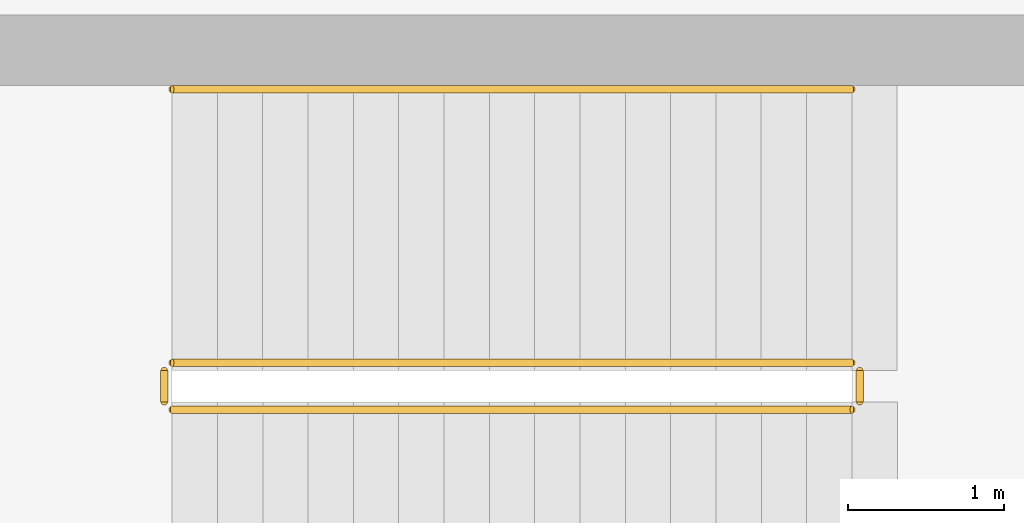
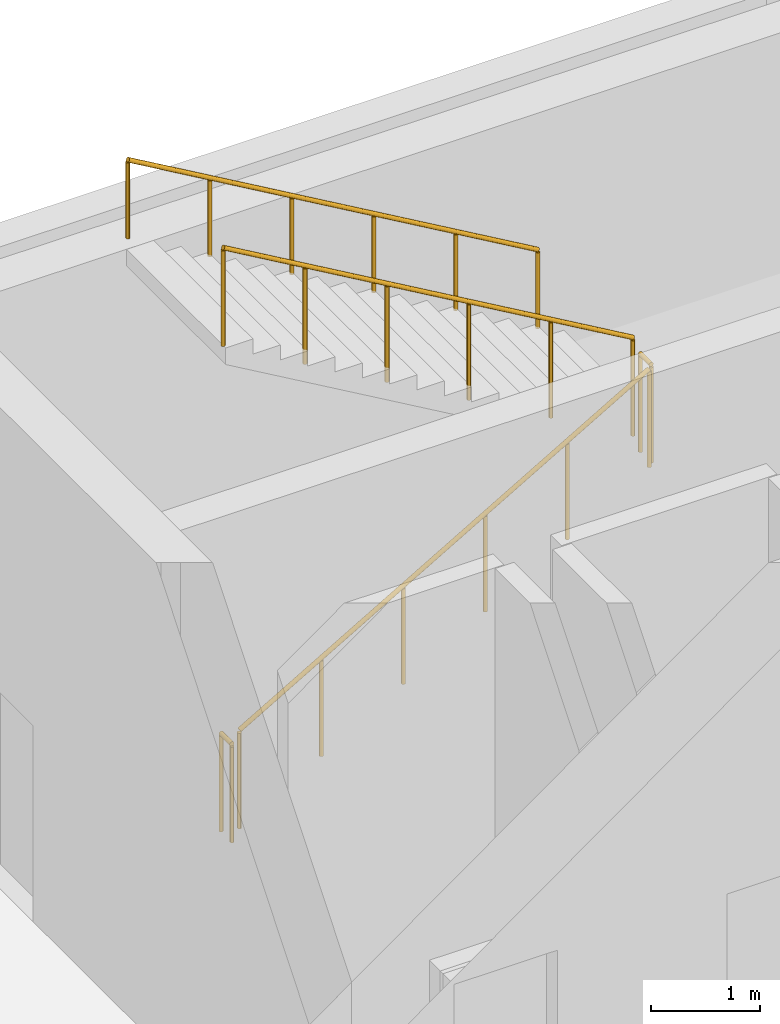
# One storey, part 90 of 98: 5 railings.
"""IFC4 building model written with IfcOpenShell, lengths in metres."""

from ifc_helpers import new_model, si_unit, direction, frame, origin, origin_2d, place, context, subcontext, project, spatial, circle, extrude, material, type_object, element, save


model = new_model("IFC4")

# Units and contexts
model_context = context("Model", 3, precision=1e-05, world=origin(), true_north=direction((0.0, 1.0)))
body_context = subcontext(model_context, "Body", "Model", "MODEL_VIEW")
ifc_project = project(units=[si_unit("LENGTHUNIT", "METRE"), si_unit("AREAUNIT", "SQUARE_METRE"), si_unit("VOLUMEUNIT", "CUBIC_METRE"), si_unit("PLANEANGLEUNIT", "RADIAN"), si_unit("MASSUNIT", "GRAM", prefix="KILO")], contexts=[model_context])

# Site, building, storey
site_placement = place(None, origin())
site = spatial("IfcSite", under=ifc_project, at=site_placement, CompositionType="ELEMENT")
building_placement = place(site_placement, origin())
building = spatial("IfcBuilding", under=site, at=building_placement, Name="Sollismere Congress Hotel", CompositionType="ELEMENT")
storey_placement = place(building_placement, frame((0.0, 0.0, 5.39990234375)))
storey = spatial("IfcBuildingStorey", under=building, at=storey_placement, Name="L01", CompositionType="ELEMENT", Elevation=5.39990234375)

# Railings
ifc_material_1 = material(Name="Steel ASTM A500 Grade C", Category="steel")
railing_type_1 = type_object("IfcRailingType", Name="RL-GRD112", PredefinedType="GUARDRAIL", material=ifc_material_1)
railing_1_placement = place(storey_placement, frame((95.85009765625, 16.25, 0.1689453125)))
element("IfcRailing", 1, at=railing_1_placement, inside=storey, type_object=railing_type_1, Name="RLG-RG-ST-02-L01-1", PredefinedType="GUARDRAIL", context=body_context, shape_type="SweptSolid", body=[
    extrude(circle(Radius=0.02392578125, at=origin_2d()), frame((0.0, 0.0, 1.09619140625), z_axis=(0.864311530196, 0.0, 0.502956835891), x_axis=(0.0, 1.0, 0.0)), (0.0, 0.0, 1.0), 5.03271484375),
    extrude(circle(Radius=0.02099609375, at=origin_2d()), origin(), (0.0, 0.0, 1.0), 1.072021484375),
    extrude(circle(Radius=0.02099609375, at=origin_2d()), frame((0.869873046875, 0.0, 0.50634765625)), (0.0, 0.0, 1.0), 1.072021484375),
    extrude(circle(Radius=0.02099609375, at=origin_2d()), frame((1.739990234375, 0.0, 1.012451171875)), (0.0, 0.0, 1.0), 1.072021484375),
    extrude(circle(Radius=0.02099609375, at=origin_2d()), frame((2.60986328125, 0.0, 1.518798828125)), (0.0, 0.0, 1.0), 1.072021484375),
    extrude(circle(Radius=0.02099609375, at=origin_2d()), frame((3.47998046875, 0.0, 2.02490234375)), (0.0, 0.0, 1.0), 1.072021484375),
    extrude(circle(Radius=0.02099609375, at=origin_2d()), frame((4.349853515625, 0.0, 2.53125)), (0.0, 0.0, 1.0), 1.072021484375),
])
railing_2_placement = place(storey_placement, frame((100.25, 16.300048828125, 2.7001953125)))
element("IfcRailing", 2, at=railing_2_placement, inside=storey, type_object=railing_type_1, Name="RLG-RG-ST-02-L01-2", PredefinedType="GUARDRAIL", context=body_context, shape_type="SweptSolid", body=[
    extrude(circle(Radius=0.02392578125, at=origin_2d()), frame((0.0, 0.0, 1.09619140625), z_axis=(0.0, 1.0, 0.0), x_axis=(-1.0, 0.0, 0.0)), (0.0, 0.0, 1.0), 0.199951171875),
    extrude(circle(Radius=0.02099609375, at=origin_2d()), origin(), (0.0, 0.0, 1.0), 1.072021484375),
    extrude(circle(Radius=0.02099609375, at=origin_2d()), frame((0.0, 0.199951171875, 0.0)), (0.0, 0.0, 1.0), 1.072021484375),
])
railing_3_placement = place(storey_placement, frame((100.199951171875, 16.550048828125, 2.868896484375)))
element("IfcRailing", 3, at=railing_3_placement, inside=storey, type_object=railing_type_1, Name="RLG-RG-ST-02-L01-3", PredefinedType="GUARDRAIL", context=body_context, shape_type="SweptSolid", body=[
    extrude(circle(Radius=0.02392578125, at=origin_2d()), frame((0.0, 0.0, 1.09619140625), z_axis=(-0.864311530196, 0.0, 0.502956835891), x_axis=(0.0, -1.0, 0.0)), (0.0, 0.0, 1.0), 5.03271484375),
    extrude(circle(Radius=0.02099609375, at=origin_2d()), origin(), (0.0, 0.0, 1.0), 1.072021484375),
    extrude(circle(Radius=0.02099609375, at=origin_2d()), frame((-0.869873046875, 0.0, 0.50634765625)), (0.0, 0.0, 1.0), 1.072021484375),
    extrude(circle(Radius=0.02099609375, at=origin_2d()), frame((-1.739990234375, 0.0, 1.012451171875)), (0.0, 0.0, 1.0), 1.072021484375),
    extrude(circle(Radius=0.02099609375, at=origin_2d()), frame((-2.60986328125, 0.0, 1.518798828125)), (0.0, 0.0, 1.0), 1.072021484375),
    extrude(circle(Radius=0.02099609375, at=origin_2d()), frame((-3.47998046875, 0.0, 2.02490234375)), (0.0, 0.0, 1.0), 1.072021484375),
    extrude(circle(Radius=0.02099609375, at=origin_2d()), frame((-4.349853515625, 0.0, 2.53125)), (0.0, 0.0, 1.0), 1.072021484375),
])
railing_4_placement = place(storey_placement, frame((95.800048828125, 16.300048828125, 0.0)))
element("IfcRailing", 4, at=railing_4_placement, inside=storey, type_object=railing_type_1, Name="RLG-RG-ST-02-L01-4", PredefinedType="GUARDRAIL", context=body_context, shape_type="SweptSolid", body=[
    extrude(circle(Radius=0.02392578125, at=origin_2d()), frame((0.0, 0.0, 1.09619140625), z_axis=(0.0, 1.0, 0.0), x_axis=(-1.0, 0.0, 0.0)), (0.0, 0.0, 1.0), 0.199951171875),
    extrude(circle(Radius=0.02099609375, at=origin_2d()), origin(), (0.0, 0.0, 1.0), 1.072021484375),
    extrude(circle(Radius=0.02099609375, at=origin_2d()), frame((0.0, 0.199951171875, 0.0)), (0.0, 0.0, 1.0), 1.072021484375),
])
ifc_material_2 = material(Name="Brushed Architectural Bronze")
railing_type_2 = type_object("IfcRailingType", Name="RL-HND90", PredefinedType="HANDRAIL", material=ifc_material_2)
railing_5_placement = place(storey_placement, frame((100.199951171875, 18.300048828125, 3.013671875)))
element("IfcRailing", 5, at=railing_5_placement, inside=storey, type_object=railing_type_2, Name="RLG-RH-ST-02-L01-2", PredefinedType="HANDRAIL", context=body_context, shape_type="SweptSolid", body=[
    extrude(circle(Radius=0.02392578125, at=origin_2d()), frame((0.0, 0.0, 0.8759765625), z_axis=(-0.864311530196, 0.0, 0.502956835891), x_axis=(0.0, -1.0, 0.0)), (0.0, 0.0, 1.0), 5.03271484375),
    extrude(circle(Radius=0.02099609375, at=origin_2d()), origin(), (0.0, 0.0, 1.0), 0.851806640625),
    extrude(circle(Radius=0.02099609375, at=origin_2d()), frame((-0.869873046875, 0.0, 0.50634765625)), (0.0, 0.0, 1.0), 0.851806640625),
    extrude(circle(Radius=0.02099609375, at=origin_2d()), frame((-1.739990234375, 0.0, 1.012451171875)), (0.0, 0.0, 1.0), 0.851806640625),
    extrude(circle(Radius=0.02099609375, at=origin_2d()), frame((-2.60986328125, 0.0, 1.518798828125)), (0.0, 0.0, 1.0), 0.851806640625),
    extrude(circle(Radius=0.02099609375, at=origin_2d()), frame((-3.47998046875, 0.0, 2.02490234375)), (0.0, 0.0, 1.0), 0.851806640625),
    extrude(circle(Radius=0.02099609375, at=origin_2d()), frame((-4.349853515625, 0.0, 2.53125)), (0.0, 0.0, 1.0), 0.851806640625),
])

save(model, "model.ifc")
